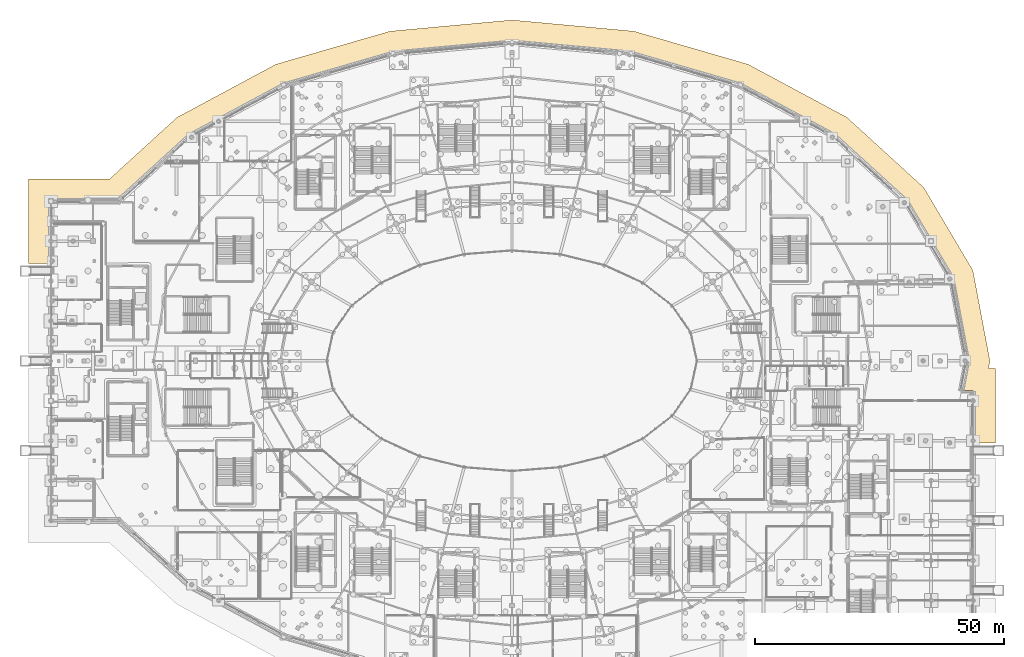
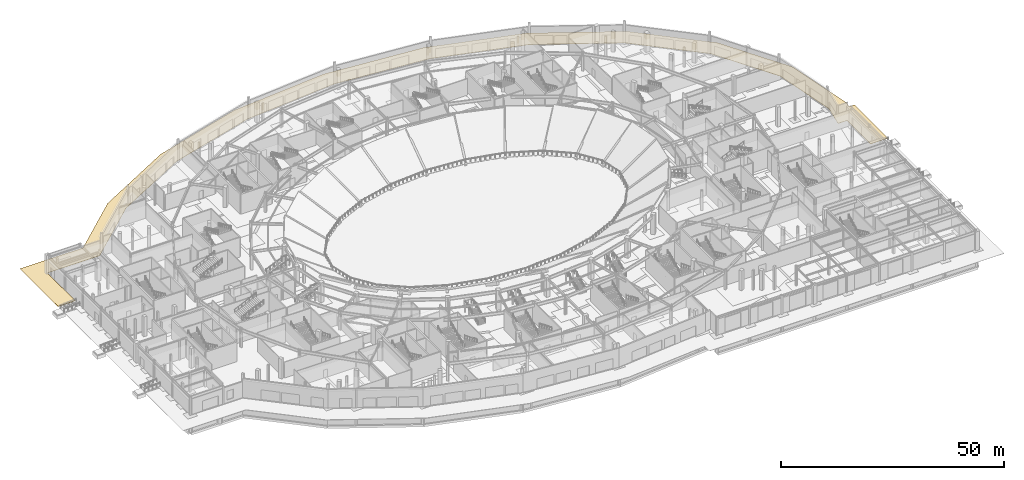
# One storey, part 80 of 93: 1 covering.
"""IFC4 building model written with IfcOpenShell, lengths in metres."""

from ifc_helpers import new_model, si_unit, direction, frame, origin, place, context, subcontext, project, spatial, polyline, outline, extrude, material, layer, layer_set, type_object, element, save


model = new_model("IFC4")

# Units and contexts
model_context = context("Model", 3, precision=1e-05, world=origin(), true_north=direction((0.0, 1.0)))
body_context = subcontext(model_context, "Body", "Model", "MODEL_VIEW")
ifc_project = project(units=[si_unit("LENGTHUNIT", "METRE"), si_unit("AREAUNIT", "SQUARE_METRE"), si_unit("VOLUMEUNIT", "CUBIC_METRE"), si_unit("PLANEANGLEUNIT", "RADIAN"), si_unit("MASSUNIT", "GRAM", prefix="KILO")], contexts=[model_context])

# Site, building, storey
site_placement = place(None, origin())
site = spatial("IfcSite", under=ifc_project, at=site_placement, CompositionType="ELEMENT")
building_placement = place(site_placement, origin())
building = spatial("IfcBuilding", under=site, at=building_placement, Name="Kalgoora Escarpment Arena", CompositionType="ELEMENT")
storey_placement = place(building_placement, origin())
storey = spatial("IfcBuildingStorey", under=building, at=storey_placement, Name="L00", CompositionType="ELEMENT", Elevation=0.0)

# Covering
ifc_material = material(Name="Honed Kimberley sandstone paving", Category="masonry")
ifc_layer = layer(ifc_material, 0.06494140625)
ifc_layer_set = layer_set([ifc_layer], Name="COV-PAVING-FORECOURT")
covering_type = type_object("IfcCoveringType", Name="COV-PAVING-FORECOURT", PredefinedType="USERDEFINED", material=ifc_layer_set)
covering_placement = place(storey_placement, frame((0.0, 0.0, -0.06494140625)))
element("IfcCovering", 1, at=covering_placement, inside=storey, type_object=covering_type, Name="Perimeter pedestrian egress apron paving 04", ObjectType="PAVING", PredefinedType="USERDEFINED", context=body_context, shape_type="SweptSolid", body=[
    extrude(outline(polyline([(11.784912109375, 100.5), (25.292236328125, 112.814453125), (45.0908203125, 123.442138671875), (67.95556640625, 130.06787109375), (92.39990234375, 132.319091796875), (116.844482421875, 130.06787109375), (139.709228515625, 123.442138671875), (159.5078125, 112.814453125), (174.91064453125, 98.77197265625), (184.768310546875, 82.12353515625), (188.178955078125, 64.0), (187.896728515625, 62.5), (189.300048828125, 62.5), (189.300048828125, 47.5), (184.820068359375, 47.5), (184.820068359375, 58.0), (184.81982421875, 58.001953125), (184.819580078125, 58.00390625), (184.819091796875, 58.005859375), (184.818603515625, 58.0078125), (184.817626953125, 58.009521484375), (184.816650390625, 58.010986328125), (184.8154296875, 58.0126953125), (184.814208984375, 58.01416015625), (184.812744140625, 58.015380859375), (184.81103515625, 58.0166015625), (184.809326171875, 58.017578125), (184.8076171875, 58.0185546875), (184.805908203125, 58.01904296875), (184.803955078125, 58.01953125), (184.802001953125, 58.02001953125), (184.800048828125, 58.02001953125), (182.494873046875, 58.02001953125), (183.61962890625, 63.996337890625), (183.619873046875, 63.998046875), (183.6201171875, 64.0), (183.619873046875, 64.001953125), (183.61962890625, 64.003662109375), (180.51220703125, 80.516357421875), (180.51171875, 80.51806640625), (180.510986328125, 80.519775390625), (180.510498046875, 80.521484375), (180.509521484375, 80.52294921875), (171.398681640625, 95.91015625), (171.397705078125, 95.911865234375), (171.396484375, 95.913330078125), (171.39501953125, 95.914794921875), (156.901611328125, 109.128173828125), (156.900390625, 109.129150390625), (156.89892578125, 109.130126953125), (156.897705078125, 109.131103515625), (138.009521484375, 119.27001953125), (138.007568359375, 119.27099609375), (138.005615234375, 119.271484375), (116.010009765625, 125.645263671875), (116.008056640625, 125.645751953125), (116.006103515625, 125.64599609375), (92.40185546875, 127.81982421875), (92.39990234375, 127.820068359375), (92.398193359375, 127.81982421875), (68.7939453125, 125.64599609375), (68.7919921875, 125.645751953125), (68.7900390625, 125.645263671875), (46.79443359375, 119.271484375), (46.79248046875, 119.27099609375), (46.79052734375, 119.27001953125), (27.90234375, 109.131103515625), (27.90087890625, 109.130126953125), (27.899658203125, 109.129150390625), (27.8984375, 109.128173828125), (13.5205078125, 96.02001953125), (0.0, 96.02001953125), (-0.001953125, 96.02001953125), (-0.00390625, 96.01953125), (-0.005859375, 96.01904296875), (-0.0078125, 96.0185546875), (-0.009521484375, 96.017578125), (-0.010986328125, 96.0166015625), (-0.0126953125, 96.015380859375), (-0.01416015625, 96.01416015625), (-0.015380859375, 96.0126953125), (-0.0166015625, 96.010986328125), (-0.017578125, 96.009521484375), (-0.0185546875, 96.0078125), (-0.01904296875, 96.005859375), (-0.01953125, 96.00390625), (-0.02001953125, 96.001953125), (-0.02001953125, 96.0), (-0.02001953125, 83.5), (-4.5, 83.5), (-4.5, 100.5), (11.784912109375, 100.5)])), origin(), (0.0, 0.0, 1.0), 0.06494140625),
])

save(model, "model.ifc")
